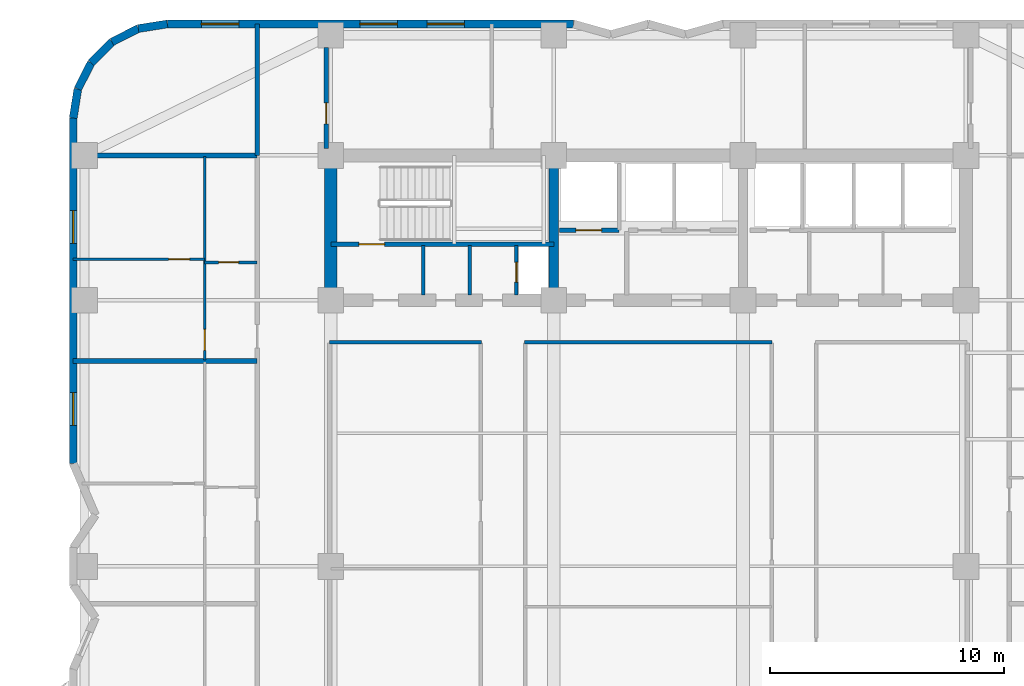
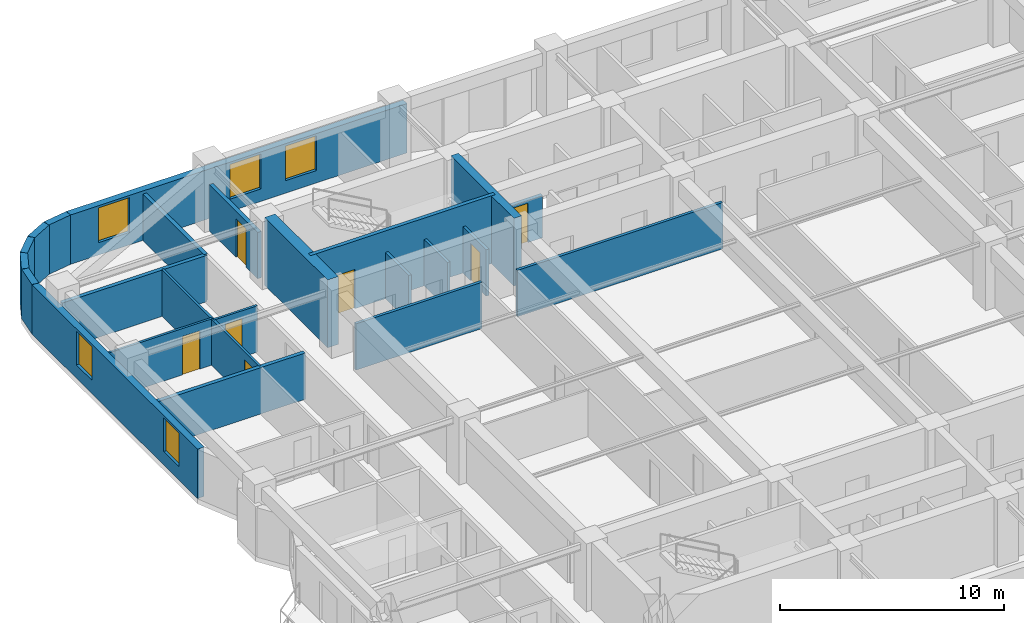
# One storey, part 6 of 10: 23 walls, 7 doors, 5 windows, 12 openings.
"""IFC4 building model written with IfcOpenShell, lengths in metres."""

from ifc_helpers import new_model, si_unit, direction, frame, frame_2d, origin, place, context, subcontext, project, spatial, rectangle, extrude, material, layer, layer_set, type_object, element, fill, save


model = new_model("IFC4")

# Units and contexts
model_context = context("Model", 3, precision=1e-05, world=origin(), true_north=direction((0.0, 1.0)))
body_context = subcontext(model_context, "Body", "Model", "MODEL_VIEW")
ifc_project = project(units=[si_unit("LENGTHUNIT", "METRE"), si_unit("AREAUNIT", "SQUARE_METRE"), si_unit("VOLUMEUNIT", "CUBIC_METRE"), si_unit("PLANEANGLEUNIT", "RADIAN"), si_unit("MASSUNIT", "GRAM", prefix="KILO")], contexts=[model_context])

# Site, building, storey
site_placement = place(None, origin())
site = spatial("IfcSite", under=ifc_project, at=site_placement, CompositionType="ELEMENT")
building_placement = place(site_placement, origin())
building = spatial("IfcBuilding", under=site, at=building_placement, Name="Svetorya Sky Lyceum", CompositionType="ELEMENT")
storey_placement = place(building_placement, frame((0.0, 0.0, 95.699951171875)))
storey = spatial("IfcBuildingStorey", under=building, at=storey_placement, Name="L23", CompositionType="ELEMENT", Elevation=95.699951171875)

# Walls
ifc_material_1 = material(Name="Concrete C40/50", Category="concrete")
ifc_layer_1 = layer(ifc_material_1, 0.39990234375)
ifc_layer_set_1 = layer_set([ifc_layer_1], Name="Concrete C40/50")
wall_type_1 = type_object("IfcWallType", Name="WL-CORE-400", PredefinedType="SHEAR", material=ifc_layer_set_1)
wall_1_placement = place(storey_placement, frame((35.14990234375, 39.875, 0.0), z_axis=(0.0, 0.0, 1.0), x_axis=(0.0, 1.0, 0.0)))
element("IfcWall", 1, at=wall_1_placement, inside=storey, type_object=wall_type_1, Name="L23 NC Internal Shear Web WEB1", PredefinedType="SHEAR", context=body_context, shape_type="SweptSolid", body=[
    extrude(rectangle(XDim=5.64990234375, YDim=0.39990234375, at=frame_2d((2.824951171875, 0.0))), origin(), (0.0, 0.0, 1.0), 3.699951171875),
])
ifc_material_2 = material(Name="Concrete C60/75", Category="concrete")
ifc_layer_2 = layer(ifc_material_2, 0.550048828125)
ifc_layer_set_2 = layer_set([ifc_layer_2], Name="Concrete C60/75")
wall_type_2 = type_object("IfcWallType", Name="WL-CORE-550", PredefinedType="SHEAR", material=ifc_layer_set_2)
wall_2_placement = place(storey_placement, frame((25.60009765625, 39.875, 0.0), z_axis=(0.0, 0.0, 1.0), x_axis=(0.0, 1.0, 0.0)))
element("IfcWall", 2, at=wall_2_placement, inside=storey, type_object=wall_type_2, Name="L23 NC West Core Shear Wall", PredefinedType="SHEAR", context=body_context, shape_type="SweptSolid", body=[
    extrude(rectangle(XDim=5.64990234375, YDim=0.550048828125, at=frame_2d((2.824951171875, 0.0))), origin(), (0.0, 0.0, 1.0), 3.699951171875),
])

# Wall, openings, windows
ifc_material_3 = material(Name="Putilovo limestone rainscreen on autoclaved cellular masonry", Category="masonry")
ifc_layer_3 = layer(ifc_material_3, 0.340087890625)
ifc_layer_set_3 = layer_set([ifc_layer_3], Name="Putilovo limestone rainscreen on autoclaved cellular masonry")
wall_type_3 = type_object("IfcWallType", Name="WL-EXT-340", PredefinedType="SOLIDWALL", material=ifc_layer_set_3)
wall_3_placement = place(storey_placement, frame((36.0, 51.429931640625, 0.0), z_axis=(0.0, 0.0, 1.0), x_axis=(-1.0, 0.0, 0.0)))
wall_3 = element("IfcWall", 3, at=wall_3_placement, inside=storey, type_object=wall_type_3, Name="L23 Limestone Exterior Wall 34M", PredefinedType="SOLIDWALL", context=body_context, shape_type="SweptSolid", body=[
    extrude(rectangle(XDim=17.39990234375, YDim=0.340087890625, at=frame_2d((8.699951171875, 0.0))), origin(), (0.0, 0.0, 1.0), 2.699951171875),
])
opening_1_placement = place(wall_3_placement, frame((4.679931640625, 0.0, 0.679931640625)))
opening_1 = element("IfcOpeningElement", 4, at=opening_1_placement, cuts=wall_3, Name="Opening W-R4", PredefinedType="OPENING", context=body_context, shape_type="SweptSolid", body=[
    extrude(rectangle(XDim=1.60009765625, YDim=1.89990234375, at=frame_2d((0.800048828125, 0.949951171875))), frame((0.0, 0.179931640625, 0.0), z_axis=(0.0, -1.0, 0.0), x_axis=(1.0, 0.0, 0.0)), (0.0, 0.0, 1.0), 0.360107421875),
])
opening_2_placement = place(wall_3_placement, frame((7.550048828125, 0.0, 0.679931640625)))
opening_2 = element("IfcOpeningElement", 5, at=opening_2_placement, cuts=wall_3, Name="Opening W-R4", PredefinedType="OPENING", context=body_context, shape_type="SweptSolid", body=[
    extrude(rectangle(XDim=1.60009765625, YDim=1.89990234375, at=frame_2d((0.800048828125, 0.949951171875))), frame((0.0, 0.179931640625, 0.0), z_axis=(0.0, -1.0, 0.0), x_axis=(1.0, 0.0, 0.0)), (0.0, 0.0, 1.0), 0.360107421875),
])
opening_3_placement = place(wall_3_placement, frame((14.340087890625, 0.0, 0.679931640625)))
opening_3 = element("IfcOpeningElement", 6, at=opening_3_placement, cuts=wall_3, Name="Opening W-R4", PredefinedType="OPENING", context=body_context, shape_type="SweptSolid", body=[
    extrude(rectangle(XDim=1.60009765625, YDim=1.89990234375, at=frame_2d((0.800048828125, 0.949951171875))), frame((0.0, 0.179931640625, 0.0), z_axis=(0.0, -1.0, 0.0), x_axis=(1.0, 0.0, 0.0)), (0.0, 0.0, 1.0), 0.360107421875),
])
ifc_material_4 = material(Name="Thermally broken aluminium frame with triple low-E glazing", Category="aluminium")
window_type_1 = type_object("IfcWindowType", Name="WN-RES-160", PartitioningType="DOUBLE_PANEL_VERTICAL", PredefinedType="WINDOW", material=ifc_material_4)
window_1_placement = place(opening_1_placement, origin())
window_1 = element("IfcWindow", 7, at=window_1_placement, inside=storey, type_object=window_type_1, Name="L23 Facade Window W-R4.34M.1", OverallHeight=1.89990234375, OverallWidth=1.60009765625, PartitioningType="SINGLE_PANEL", PredefinedType="WINDOW", context=body_context, shape_type="SweptSolid", body=[
    extrude(rectangle(XDim=1.60009765625, YDim=1.89990234375, at=frame_2d((0.800048828125, 0.949951171875))), frame((0.0, 0.030029296875, 0.0), z_axis=(0.0, -1.0, 0.0), x_axis=(1.0, 0.0, 0.0)), (0.0, 0.0, 1.0), 0.06005859375),
])
fill(opening_1, window_1)
window_2_placement = place(opening_2_placement, origin())
window_2 = element("IfcWindow", 8, at=window_2_placement, inside=storey, type_object=window_type_1, Name="L23 Facade Window W-R4.34M.2", OverallHeight=1.89990234375, OverallWidth=1.60009765625, PartitioningType="SINGLE_PANEL", PredefinedType="WINDOW", context=body_context, shape_type="SweptSolid", body=[
    extrude(rectangle(XDim=1.60009765625, YDim=1.89990234375, at=frame_2d((0.800048828125, 0.949951171875))), frame((0.0, 0.030029296875, 0.0), z_axis=(0.0, -1.0, 0.0), x_axis=(1.0, 0.0, 0.0)), (0.0, 0.0, 1.0), 0.06005859375),
])
fill(opening_2, window_2)
window_3_placement = place(opening_3_placement, origin())
window_3 = element("IfcWindow", 9, at=window_3_placement, inside=storey, type_object=window_type_1, Name="L23 Facade Window W-R4.34M.3", OverallHeight=1.89990234375, OverallWidth=1.60009765625, PartitioningType="SINGLE_PANEL", PredefinedType="WINDOW", context=body_context, shape_type="SweptSolid", body=[
    extrude(rectangle(XDim=1.60009765625, YDim=1.89990234375, at=frame_2d((0.800048828125, 0.949951171875))), frame((0.0, 0.030029296875, 0.0), z_axis=(0.0, -1.0, 0.0), x_axis=(1.0, 0.0, 0.0)), (0.0, 0.0, 1.0), 0.06005859375),
])
fill(opening_3, window_3)

# Walls
wall_4_placement = place(storey_placement, frame((18.60009765625, 51.429931640625, 0.0), z_axis=(0.0, 0.0, 1.0), x_axis=(-0.98771582066, -0.156260864002, 0.0)))
element("IfcWall", 10, at=wall_4_placement, inside=storey, type_object=wall_type_3, Name="L23 Limestone Exterior Wall 35M", PredefinedType="SOLIDWALL", context=body_context, shape_type="SweptSolid", body=[
    extrude(rectangle(XDim=1.2607421875, YDim=0.340087890625, at=frame_2d((0.63037109375, 0.0))), origin(), (0.0, 0.0, 1.0), 2.699951171875),
])
for number, where, z_axis, x_axis, name in (
    (11, (17.354736328125, 51.23291015625, 0.0), (0.0, 0.0, 1.0), (-0.890993689142, -0.454015689056, 0.0), "L23 Limestone Exterior Wall 36M"),
    (12, (16.231201171875, 50.660400390625, 0.0), (0.0, 0.0, 1.0), (-0.707106781187, -0.707106781187, 0.0), "L23 Limestone Exterior Wall 37M"),
    (13, (15.339599609375, 49.768798828125, 0.0), (0.0, 0.0, 1.0), (-0.454015689056, -0.890993689142, 0.0), "L23 Limestone Exterior Wall 38M"),
):
    element("IfcWall", number, at=place(storey_placement, frame(where, z_axis=z_axis, x_axis=x_axis)), inside=storey, type_object=wall_type_3, Name=name, PredefinedType="SOLIDWALL", context=body_context, shape_type="SweptSolid", body=[
        extrude(rectangle(XDim=1.260986328125, YDim=0.340087890625, at=frame_2d((0.63037109375, 0.0))), origin(), (0.0, 0.0, 1.0), 2.699951171875),
    ])
wall_5_placement = place(storey_placement, frame((14.76708984375, 48.645263671875, 0.0), z_axis=(0.0, 0.0, 1.0), x_axis=(-0.156260864002, -0.98771582066, 0.0)))
element("IfcWall", 14, at=wall_5_placement, inside=storey, type_object=wall_type_3, Name="L23 Limestone Exterior Wall 39M", PredefinedType="SOLIDWALL", context=body_context, shape_type="SweptSolid", body=[
    extrude(rectangle(XDim=1.2607421875, YDim=0.340087890625, at=frame_2d((0.63037109375, 0.0))), origin(), (0.0, 0.0, 1.0), 2.699951171875),
])

# Wall, openings, windows
wall_6_placement = place(storey_placement, frame((14.570068359375, 47.39990234375, 0.0), z_axis=(0.0, 0.0, 1.0), x_axis=(0.0, -1.0, 0.0)))
wall_6 = element("IfcWall", 15, at=wall_6_placement, inside=storey, type_object=wall_type_3, Name="L23 Limestone Exterior Wall 40M", PredefinedType="SOLIDWALL", context=body_context, shape_type="SweptSolid", body=[
    extrude(rectangle(XDim=14.7998046875, YDim=0.340087890625, at=frame_2d((7.39990234375, 0.0))), origin(), (0.0, 0.0, 1.0), 2.699951171875),
])
opening_4_placement = place(wall_6_placement, frame((3.96240234375, 0.0, 0.72998046875)))
opening_4 = element("IfcOpeningElement", 16, at=opening_4_placement, cuts=wall_6, Name="Opening W-R2", PredefinedType="OPENING", context=body_context, shape_type="SweptSolid", body=[
    extrude(rectangle(XDim=1.39990234375, YDim=1.85009765625, at=frame_2d((0.699951171875, 0.925048828125))), frame((0.0, 0.179931640625, 0.0), z_axis=(0.0, -1.0, 0.0), x_axis=(1.0, 0.0, 0.0)), (0.0, 0.0, 1.0), 0.360107421875),
])
opening_5_placement = place(wall_6_placement, frame((11.762451171875, 0.0, 0.72998046875)))
opening_5 = element("IfcOpeningElement", 17, at=opening_5_placement, cuts=wall_6, Name="Opening W-R2", PredefinedType="OPENING", context=body_context, shape_type="SweptSolid", body=[
    extrude(rectangle(XDim=1.39990234375, YDim=1.85009765625, at=frame_2d((0.699951171875, 0.925048828125))), frame((0.0, 0.179931640625, 0.0), z_axis=(0.0, -1.0, 0.0), x_axis=(1.0, 0.0, 0.0)), (0.0, 0.0, 1.0), 0.360107421875),
])
window_type_2 = type_object("IfcWindowType", Name="WN-RES-140", PartitioningType="SINGLE_PANEL", PredefinedType="WINDOW", material=ifc_material_4)
window_4_placement = place(opening_4_placement, origin())
window_4 = element("IfcWindow", 18, at=window_4_placement, inside=storey, type_object=window_type_2, Name="L23 Facade Window W-R2.40M.1", OverallHeight=1.85009765625, OverallWidth=1.39990234375, PartitioningType="SINGLE_PANEL", PredefinedType="WINDOW", context=body_context, shape_type="SweptSolid", body=[
    extrude(rectangle(XDim=1.39990234375, YDim=1.85009765625, at=frame_2d((0.699951171875, 0.925048828125))), frame((0.0, 0.030029296875, 0.0), z_axis=(0.0, -1.0, 0.0), x_axis=(1.0, 0.0, 0.0)), (0.0, 0.0, 1.0), 0.06005859375),
])
fill(opening_4, window_4)
window_5_placement = place(opening_5_placement, origin())
window_5 = element("IfcWindow", 19, at=window_5_placement, inside=storey, type_object=window_type_2, Name="L23 Facade Window W-R2.40M.2", OverallHeight=1.85009765625, OverallWidth=1.39990234375, PartitioningType="SINGLE_PANEL", PredefinedType="WINDOW", context=body_context, shape_type="SweptSolid", body=[
    extrude(rectangle(XDim=1.39990234375, YDim=1.85009765625, at=frame_2d((0.699951171875, 0.925048828125))), frame((0.0, 0.030029296875, 0.0), z_axis=(0.0, -1.0, 0.0), x_axis=(1.0, 0.0, 0.0)), (0.0, 0.0, 1.0), 0.06005859375),
])
fill(opening_5, window_5)

# Wall, opening, door
ifc_material_5 = material(Name="Twin-stud galvanized framing with double fireboard", Category="gypsum")
ifc_layer_4 = layer(ifc_material_5, 0.1201171875)
ifc_layer_set_4 = layer_set([ifc_layer_4], Name="Twin-stud galvanized framing with double fireboard")
wall_type_4 = type_object("IfcWallType", Name="WL-PART-120", PredefinedType="PARTITIONING", material=ifc_layer_set_4)
wall_7_placement = place(storey_placement, frame((20.199951171875, 41.219970703125, 0.0), z_axis=(0.0, 0.0, 1.0), x_axis=(1.0, 0.0, 0.0)))
wall_7 = element("IfcWall", 20, at=wall_7_placement, inside=storey, type_object=wall_type_4, Name="L23 Interior Partition W4-WH1", PredefinedType="PARTITIONING", context=body_context, shape_type="SweptSolid", body=[
    extrude(rectangle(XDim=2.25, YDim=0.1201171875, at=frame_2d((1.125, 0.0))), origin(), (0.0, 0.0, 1.0), 2.530029296875),
])
opening_6_placement = place(wall_7_placement, frame((0.60009765625, 0.0, 0.0)))
opening_6 = element("IfcOpeningElement", 21, at=opening_6_placement, cuts=wall_7, Name="Opening D-BT1", PredefinedType="OPENING", context=body_context, shape_type="SweptSolid", body=[
    extrude(rectangle(XDim=0.85009765625, YDim=2.10009765625, at=frame_2d((0.425048828125, 1.050048828125))), frame((0.0, 0.070068359375, 0.0), z_axis=(0.0, -1.0, 0.0), x_axis=(1.0, 0.0, 0.0)), (0.0, 0.0, 1.0), 0.14013671875),
])
ifc_material_6 = material(Name="Moisture-resistant laminate bathroom door")
door_type_1 = type_object("IfcDoorType", Name="DR-WET-850", OperationType="SINGLE_SWING_LEFT", PredefinedType="DOOR", material=ifc_material_6)
door_1_placement = place(opening_6_placement, origin())
door_1 = element("IfcDoor", 22, at=door_1_placement, inside=storey, type_object=door_type_1, Name="Apartment W4 Bathroom Door", OperationType="SINGLE_SWING_RIGHT", OverallHeight=2.10009765625, OverallWidth=0.85009765625, PredefinedType="DOOR", context=body_context, shape_type="SweptSolid", body=[
    extrude(rectangle(XDim=0.85009765625, YDim=2.10009765625, at=frame_2d((0.425048828125, 1.050048828125))), frame((0.0, 0.02490234375, 0.0), z_axis=(0.0, -1.0, 0.0), x_axis=(1.0, 0.0, 0.0)), (0.0, 0.0, 1.0), 0.050048828125),
])
fill(opening_6, door_1)

wall_8_placement = place(storey_placement, frame((14.570068359375, 41.35009765625, 0.0), z_axis=(0.0, 0.0, 1.0), x_axis=(1.0, 0.0, 0.0)))
wall_8 = element("IfcWall", 23, at=wall_8_placement, inside=storey, type_object=wall_type_4, Name="L23 Interior Partition W4-WL1", PredefinedType="PARTITIONING", context=body_context, shape_type="SweptSolid", body=[
    extrude(rectangle(XDim=5.6298828125, YDim=0.1201171875, at=frame_2d((2.81494140625, 0.0))), origin(), (0.0, 0.0, 1.0), 2.530029296875),
])
opening_7_placement = place(wall_8_placement, frame((4.080078125, 0.0, 0.0)))
opening_7 = element("IfcOpeningElement", 24, at=opening_7_placement, cuts=wall_8, Name="Opening D-RM1", PredefinedType="OPENING", context=body_context, shape_type="SweptSolid", body=[
    extrude(rectangle(XDim=0.89990234375, YDim=2.10009765625, at=frame_2d((0.449951171875, 1.050048828125))), frame((0.0, 0.070068359375, 0.0), z_axis=(0.0, -1.0, 0.0), x_axis=(1.0, 0.0, 0.0)), (0.0, 0.0, 1.0), 0.14013671875),
])
ifc_material_7 = material(Name="Lacquered birch veneer internal door")
door_type_2 = type_object("IfcDoorType", Name="DR-INT-900", OperationType="SINGLE_SWING_LEFT", PredefinedType="DOOR", material=ifc_material_7)
door_2_placement = place(opening_7_placement, origin())
door_2 = element("IfcDoor", 25, at=door_2_placement, inside=storey, type_object=door_type_2, Name="Apartment W4 Bedroom 1 Door", OperationType="SINGLE_SWING_RIGHT", OverallHeight=2.10009765625, OverallWidth=0.89990234375, PredefinedType="DOOR", context=body_context, shape_type="SweptSolid", body=[
    extrude(rectangle(XDim=0.89990234375, YDim=2.10009765625, at=frame_2d((0.449951171875, 1.050048828125))), frame((0.0, 0.02490234375, 0.0), z_axis=(0.0, -1.0, 0.0), x_axis=(1.0, 0.0, 0.0)), (0.0, 0.0, 1.0), 0.050048828125),
])
fill(opening_7, door_2)

wall_9_placement = place(storey_placement, frame((20.199951171875, 37.0400390625, 0.0), z_axis=(0.0, 0.0, 1.0), x_axis=(0.0, 1.0, 0.0)))
wall_9 = element("IfcWall", 26, at=wall_9_placement, inside=storey, type_object=wall_type_4, Name="L23 Interior Partition W4-WV", PredefinedType="PARTITIONING", context=body_context, shape_type="SweptSolid", body=[
    extrude(rectangle(XDim=8.719970703125, YDim=0.1201171875, at=frame_2d((4.35986328125, 0.0))), origin(), (0.0, 0.0, 1.0), 2.530029296875),
])
opening_8_placement = place(wall_9_placement, frame((0.409912109375, 0.0, 0.0)))
opening_8 = element("IfcOpeningElement", 27, at=opening_8_placement, cuts=wall_9, Name="Opening D-RM1", PredefinedType="OPENING", context=body_context, shape_type="SweptSolid", body=[
    extrude(rectangle(XDim=0.89990234375, YDim=2.10009765625, at=frame_2d((0.449951171875, 1.050048828125))), frame((0.0, 0.070068359375, 0.0), z_axis=(0.0, -1.0, 0.0), x_axis=(1.0, 0.0, 0.0)), (0.0, 0.0, 1.0), 0.14013671875),
])
door_3_placement = place(opening_8_placement, origin())
door_3 = element("IfcDoor", 28, at=door_3_placement, inside=storey, type_object=door_type_2, Name="Apartment W4 Living Door", OperationType="SINGLE_SWING_LEFT", OverallHeight=2.10009765625, OverallWidth=0.89990234375, PredefinedType="DOOR", context=body_context, shape_type="SweptSolid", body=[
    extrude(rectangle(XDim=0.89990234375, YDim=2.10009765625, at=frame_2d((0.449951171875, 1.050048828125))), frame((0.0, 0.02490234375, 0.0), z_axis=(0.0, -1.0, 0.0), x_axis=(1.0, 0.0, 0.0)), (0.0, 0.0, 1.0), 0.050048828125),
])
fill(opening_8, door_3)

ifc_material_8 = material(Name="Autoclaved cellular masonry blockwork with acoustic render", Category="masonry")
ifc_layer_5 = layer(ifc_material_8, 0.14990234375)
ifc_layer_set_5 = layer_set([ifc_layer_5], Name="Autoclaved cellular masonry blockwork with acoustic render")
wall_type_5 = type_object("IfcWallType", Name="WL-PART-150", PredefinedType="PARTITIONING", material=ifc_layer_set_5)
wall_10_placement = place(storey_placement, frame((33.550048828125, 39.820068359375, 0.0), z_axis=(0.0, 0.0, 1.0), x_axis=(0.0, 1.0, 0.0)))
wall_10 = element("IfcWall", 29, at=wall_10_placement, inside=storey, type_object=wall_type_5, Name="L23 Interior Partition NC-RSRW", PredefinedType="PARTITIONING", context=body_context, shape_type="SweptSolid", body=[
    extrude(rectangle(XDim=2.1298828125, YDim=0.14990234375, at=frame_2d((1.06494140625, 0.0))), origin(), (0.0, 0.0, 1.0), 2.530029296875),
])
opening_9_placement = place(wall_10_placement, frame((0.550048828125, 0.0, 0.0)))
opening_9 = element("IfcOpeningElement", 30, at=opening_9_placement, cuts=wall_10, Name="Opening D-SH1", PredefinedType="OPENING", context=body_context, shape_type="SweptSolid", body=[
    extrude(rectangle(XDim=0.85009765625, YDim=2.050048828125, at=frame_2d((0.425048828125, 1.02490234375))), frame((0.0, 0.0849609375, 0.0), z_axis=(0.0, -1.0, 0.0), x_axis=(1.0, 0.0, 0.0)), (0.0, 0.0, 1.0), 0.169921875),
])
ifc_material_9 = material(Name="Insulated galvanized riser inspection fire door")
door_type_3 = type_object("IfcDoorType", Name="DR-SHFT-850", OperationType="SINGLE_SWING_LEFT", PredefinedType="TRAPDOOR", material=ifc_material_9)
door_4_placement = place(opening_9_placement, origin())
door_4 = element("IfcDoor", 31, at=door_4_placement, inside=storey, type_object=door_type_3, Name="L23 North Riser Access Door", OperationType="SINGLE_SWING_LEFT", OverallHeight=2.050048828125, OverallWidth=0.85009765625, PredefinedType="TRAPDOOR", context=body_context, shape_type="SweptSolid", body=[
    extrude(rectangle(XDim=0.85009765625, YDim=2.050048828125, at=frame_2d((0.425048828125, 1.02490234375))), frame((0.0, 0.02490234375, 0.0), z_axis=(0.0, -1.0, 0.0), x_axis=(1.0, 0.0, 0.0)), (0.0, 0.0, 1.0), 0.050048828125),
])
fill(opening_9, door_4)

# Walls
for number, where, z_axis, x_axis, name in (
    (32, (29.550048828125, 39.820068359375, 0.0), (0.0, 0.0, 1.0), (0.0, 1.0, 0.0), "L23 Interior Partition NC-NWD1"),
    (33, (31.550048828125, 39.820068359375, 0.0), (0.0, 0.0, 1.0), (0.0, 1.0, 0.0), "L23 Interior Partition NC-NWD2"),
):
    element("IfcWall", number, at=place(storey_placement, frame(where, z_axis=z_axis, x_axis=x_axis)), inside=storey, type_object=wall_type_5, Name=name, PredefinedType="PARTITIONING", context=body_context, shape_type="SweptSolid", body=[
        extrude(rectangle(XDim=2.1298828125, YDim=0.14990234375, at=frame_2d((1.06494140625, 0.0))), origin(), (0.0, 0.0, 1.0), 2.530029296875),
    ])
wall_11_placement = place(storey_placement, frame((25.550048828125, 37.800048828125, 0.0), z_axis=(0.0, 0.0, 1.0), x_axis=(1.0, 0.0, 0.0)))
element("IfcWall", 34, at=wall_11_placement, inside=storey, type_object=wall_type_5, Name="L23 Interior Partition RL-CN-W", PredefinedType="PARTITIONING", context=body_context, shape_type="SweptSolid", body=[
    extrude(rectangle(XDim=6.5, YDim=0.14990234375, at=frame_2d((3.25, 0.0))), origin(), (0.0, 0.0, 1.0), 2.530029296875),
])
wall_12_placement = place(storey_placement, frame((33.89990234375, 37.800048828125, 0.0), z_axis=(0.0, 0.0, 1.0), x_axis=(1.0, 0.0, 0.0)))
element("IfcWall", 35, at=wall_12_placement, inside=storey, type_object=wall_type_5, Name="L23 Interior Partition RL-CN-M", PredefinedType="PARTITIONING", context=body_context, shape_type="SweptSolid", body=[
    extrude(rectangle(XDim=10.60009765625, YDim=0.14990234375, at=frame_2d((5.300048828125, 0.0))), origin(), (0.0, 0.0, 1.0), 2.530029296875),
])

# Wall, opening, door
ifc_material_10 = material(Name="Autoclaved cellular masonry blockwork with gypsum plaster", Category="masonry")
ifc_layer_6 = layer(ifc_material_10, 0.199951171875)
ifc_layer_set_6 = layer_set([ifc_layer_6], Name="Autoclaved cellular masonry blockwork with gypsum plaster")
wall_type_6 = type_object("IfcWallType", Name="WL-PART-200", PredefinedType="PARTITIONING", material=ifc_layer_set_6)
wall_13_placement = place(storey_placement, frame((37.949951171875, 42.60009765625, 0.0), z_axis=(0.0, 0.0, 1.0), x_axis=(-1.0, 0.0, 0.0)))
wall_13 = element("IfcWall", 36, at=wall_13_placement, inside=storey, type_object=wall_type_6, Name="L23 Interior Partition NC-FL1W", PredefinedType="PARTITIONING", context=body_context, shape_type="SweptSolid", body=[
    extrude(rectangle(XDim=2.550048828125, YDim=0.199951171875, at=frame_2d((1.27490234375, 0.0))), origin(), (0.0, 0.0, 1.0), 2.300048828125),
])
opening_10_placement = place(wall_13_placement, frame((0.75, 0.0, 0.0)))
opening_10 = element("IfcOpeningElement", 37, at=opening_10_placement, cuts=wall_13, Name="Opening LD-FL", PredefinedType="OPENING", context=body_context, shape_type="SweptSolid", body=[
    extrude(rectangle(XDim=1.10009765625, YDim=2.14990234375, at=frame_2d((0.550048828125, 1.074951171875))), frame((0.0, 0.10986328125, 0.0), z_axis=(0.0, -1.0, 0.0), x_axis=(1.0, 0.0, 0.0)), (0.0, 0.0, 1.0), 0.219970703125),
])
ifc_material_11 = material(Name="Fire-rated stainless AISI 304 firefighting lift landing door")
door_type_4 = type_object("IfcDoorType", Name="DR-LIFT-1100", OperationType="SLIDING_TO_LEFT", PredefinedType="DOOR", material=ifc_material_11)
door_5_placement = place(opening_10_placement, origin())
door_5 = element("IfcDoor", 38, at=door_5_placement, inside=storey, type_object=door_type_4, Name="L23 Firefighting Lift FL1 Landing Door", OperationType="SLIDING_TO_LEFT", OverallHeight=2.14990234375, OverallWidth=1.10009765625, PredefinedType="DOOR", context=body_context, shape_type="SweptSolid", body=[
    extrude(rectangle(XDim=1.10009765625, YDim=2.14990234375, at=frame_2d((0.550048828125, 1.074951171875))), frame((0.0, 0.02490234375, 0.0), z_axis=(0.0, -1.0, 0.0), x_axis=(1.0, 0.0, 0.0)), (0.0, 0.0, 1.0), 0.050048828125),
])
fill(opening_10, door_5)

# Walls
wall_14_placement = place(storey_placement, frame((14.570068359375, 37.0, 0.0), z_axis=(0.0, 0.0, 1.0), x_axis=(1.0, 0.0, 0.0)))
element("IfcWall", 39, at=wall_14_placement, inside=storey, type_object=wall_type_6, Name="L23 Interior Partition W-PARTY-3", PredefinedType="PARTITIONING", context=body_context, shape_type="SweptSolid", body=[
    extrude(rectangle(XDim=7.8798828125, YDim=0.199951171875, at=frame_2d((3.93994140625, 0.0))), origin(), (0.0, 0.0, 1.0), 2.530029296875),
])
wall_15_placement = place(storey_placement, frame((14.989990234375, 45.800048828125, 0.0), z_axis=(0.0, 0.0, 1.0), x_axis=(1.0, 0.0, 0.0)))
element("IfcWall", 40, at=wall_15_placement, inside=storey, type_object=wall_type_6, Name="L23 Interior Partition W-CAP-N", PredefinedType="PARTITIONING", context=body_context, shape_type="SweptSolid", body=[
    extrude(rectangle(XDim=7.4599609375, YDim=0.199951171875, at=frame_2d((3.72998046875, 0.0))), origin(), (0.0, 0.0, 1.0), 2.530029296875),
])
wall_16_placement = place(storey_placement, frame((22.449951171875, 45.800048828125, 0.0), z_axis=(0.0, 0.0, 1.0), x_axis=(0.0, 1.0, 0.0)))
element("IfcWall", 41, at=wall_16_placement, inside=storey, type_object=wall_type_6, Name="L23 Interior Partition WC-NW-END", PredefinedType="PARTITIONING", context=body_context, shape_type="SweptSolid", body=[
    extrude(rectangle(XDim=5.6298828125, YDim=0.199951171875, at=frame_2d((2.81494140625, 0.0))), origin(), (0.0, 0.0, 1.0), 2.530029296875),
])

# Wall, opening, door
wall_17_placement = place(storey_placement, frame((25.39990234375, 46.10009765625, 0.0), z_axis=(0.0, 0.0, 1.0), x_axis=(0.0, 1.0, 0.0)))
wall_17 = element("IfcWall", 42, at=wall_17_placement, inside=storey, type_object=wall_type_6, Name="L23 Interior Partition N-EW", PredefinedType="PARTITIONING", context=body_context, shape_type="SweptSolid", body=[
    extrude(rectangle(XDim=4.329833984375, YDim=0.199951171875, at=frame_2d((2.1650390625, 0.0))), origin(), (0.0, 0.0, 1.0), 2.530029296875),
])
opening_11_placement = place(wall_17_placement, frame((1.050048828125, 0.0, 0.0)))
opening_11 = element("IfcOpeningElement", 43, at=opening_11_placement, cuts=wall_17, Name="Opening D-RM1", PredefinedType="OPENING", context=body_context, shape_type="SweptSolid", body=[
    extrude(rectangle(XDim=0.89990234375, YDim=2.10009765625, at=frame_2d((0.449951171875, 1.050048828125))), frame((0.0, 0.10986328125, 0.0), z_axis=(0.0, -1.0, 0.0), x_axis=(1.0, 0.0, 0.0)), (0.0, 0.0, 1.0), 0.219970703125),
])
door_6_placement = place(opening_11_placement, origin())
door_6 = element("IfcDoor", 44, at=door_6_placement, inside=storey, type_object=door_type_2, Name="L23 North Study Door", OperationType="SINGLE_SWING_RIGHT", OverallHeight=2.10009765625, OverallWidth=0.89990234375, PredefinedType="DOOR", context=body_context, shape_type="SweptSolid", body=[
    extrude(rectangle(XDim=0.89990234375, YDim=2.10009765625, at=frame_2d((0.449951171875, 1.050048828125))), frame((0.0, 0.02490234375, 0.0), z_axis=(0.0, -1.0, 0.0), x_axis=(1.0, 0.0, 0.0)), (0.0, 0.0, 1.0), 0.050048828125),
])
fill(opening_11, door_6)

ifc_material_12 = material(Name="Concrete C50/60", Category="concrete")
ifc_layer_7 = layer(ifc_material_12, 0.199951171875)
ifc_layer_set_7 = layer_set([ifc_layer_7], Name="Concrete C50/60")
wall_type_7 = type_object("IfcWallType", Name="WL-SHW-200", PredefinedType="SHEAR", material=ifc_layer_set_7)
wall_18_placement = place(storey_placement, frame((35.14990234375, 42.0, 0.0), z_axis=(0.0, 0.0, 1.0), x_axis=(-1.0, 0.0, 0.0)))
wall_18 = element("IfcWall", 45, at=wall_18_placement, inside=storey, type_object=wall_type_7, Name="L23 Structural Stair Shaft Wall NC-STW", PredefinedType="SHEAR", context=body_context, shape_type="SweptSolid", body=[
    extrude(rectangle(XDim=9.5498046875, YDim=0.199951171875, at=frame_2d((4.77490234375, 0.0))), origin(), (0.0, 0.0, 1.0), 3.699951171875),
])
opening_12_placement = place(wall_18_placement, frame((7.25, 0.0, 0.0)))
opening_12 = element("IfcOpeningElement", 46, at=opening_12_placement, cuts=wall_18, Name="Opening D-ST1", PredefinedType="OPENING", context=body_context, shape_type="SweptSolid", body=[
    extrude(rectangle(XDim=1.10009765625, YDim=2.14990234375, at=frame_2d((0.550048828125, 1.074951171875))), frame((0.0, 0.10986328125, 0.0), z_axis=(0.0, -1.0, 0.0), x_axis=(1.0, 0.0, 0.0)), (0.0, 0.0, 1.0), 0.219970703125),
])
ifc_material_13 = material(Name="Powder-coated insulated galvanized stair fire door")
door_type_5 = type_object("IfcDoorType", Name="DR-FIRE-1100", OperationType="SINGLE_SWING_LEFT", PredefinedType="DOOR", material=ifc_material_13)
door_7_placement = place(opening_12_placement, origin())
door_7 = element("IfcDoor", 47, at=door_7_placement, inside=storey, type_object=door_type_5, Name="L23 Stair ST-N Vestibule Fire Door", OperationType="SINGLE_SWING_RIGHT", OverallHeight=2.14990234375, OverallWidth=1.10009765625, PredefinedType="DOOR", context=body_context, shape_type="SweptSolid", body=[
    extrude(rectangle(XDim=1.10009765625, YDim=2.14990234375, at=frame_2d((0.550048828125, 1.074951171875))), frame((0.0, 0.02490234375, 0.0), z_axis=(0.0, -1.0, 0.0), x_axis=(1.0, 0.0, 0.0)), (0.0, 0.0, 1.0), 0.050048828125),
])
fill(opening_12, door_7)

save(model, "model.ifc")
